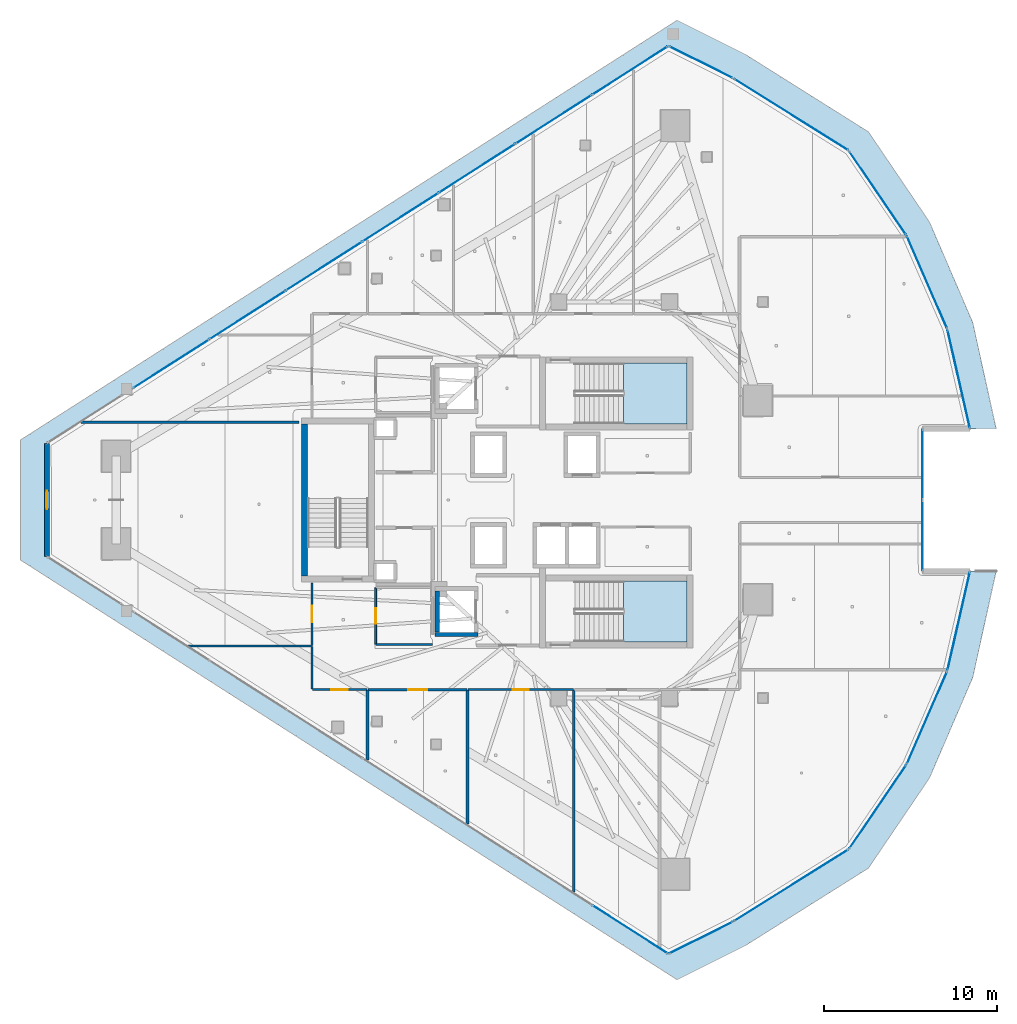
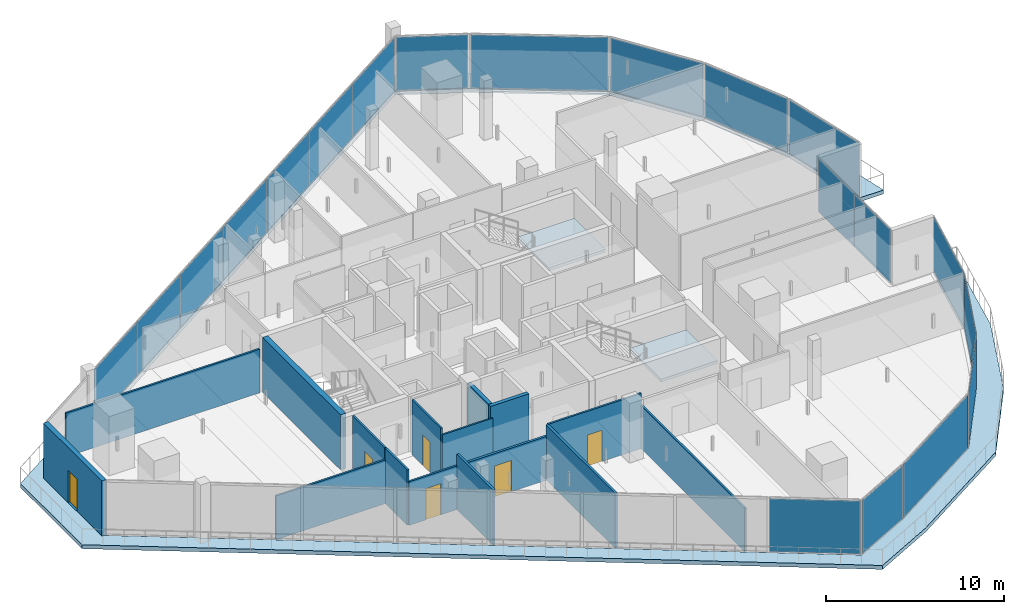
# One storey, part 22 of 33: 20 plates, 16 walls, 6 doors, 3 slabs, 6 openings, 15 elements without a shape of their own.
"""IFC4 building model written with IfcOpenShell, lengths in metres."""

from ifc_helpers import new_model, si_unit, direction, frame, frame_2d, origin, origin_2d, place, context, subcontext, project, spatial, polyline, rectangle, outline, extrude, material, layer, layer_set, type_object, element, fill, aggregate, save


model = new_model("IFC4")

# Units and contexts
model_context = context("Model", 3, precision=1e-05, world=origin(), true_north=direction((0.0, 1.0)))
body_context = subcontext(model_context, "Body", "Model", "MODEL_VIEW")
ifc_project = project(units=[si_unit("LENGTHUNIT", "METRE"), si_unit("AREAUNIT", "SQUARE_METRE"), si_unit("VOLUMEUNIT", "CUBIC_METRE"), si_unit("PLANEANGLEUNIT", "RADIAN"), si_unit("MASSUNIT", "GRAM", prefix="KILO")], contexts=[model_context])

# Site, building, storey
site_placement = place(None, origin())
site = spatial("IfcSite", under=ifc_project, at=site_placement, CompositionType="ELEMENT")
building_placement = place(site_placement, origin())
building = spatial("IfcBuilding", under=site, at=building_placement, Name="Qorvath Tower", CompositionType="ELEMENT")
storey_placement = place(building_placement, frame((0.0, 0.0, 237.449951171875)))
storey = spatial("IfcBuildingStorey", under=building, at=storey_placement, Name="L55", CompositionType="ELEMENT", Elevation=237.449951171875)

# Curtain wall, plate
ifc_material_1 = material(Name="Anodised aluminium and triple low-E glass", Category="aluminium")
ifc_layer_1 = layer(ifc_material_1, 0.179931640625)
ifc_layer_set_1 = layer_set([ifc_layer_1], Name="CW-SYS-3")
curtain_wall_type = type_object("IfcCurtainWallType", Name="CW-SYS-3", PredefinedType="NOTDEFINED", material=ifc_layer_set_1)
curtain_wall_1_placement = place(storey_placement, origin())
curtain_wall_1 = element("IfcCurtainWall", 1, at=curtain_wall_1_placement, inside=storey, type_object=curtain_wall_type, Name="Curtain Wall CW-3 CW-T-L55-2.2", PredefinedType="NOTDEFINED")
ifc_material_2 = material(Name="Low-E triple insulated glass", Category="glass")
ifc_layer_2 = layer(ifc_material_2, 0.031982421875)
ifc_layer_set_2 = layer_set([ifc_layer_2], Name="CWP-GLZ-32")
plate_type = type_object("IfcPlateType", Name="CWP-GLZ-32", PredefinedType="CURTAIN_PANEL", material=ifc_layer_set_2)
plate_1_placement = place(storey_placement, frame((-19.4814453125, -24.807373046875, 0.065185546875), z_axis=(0.0, 0.0, 1.0), x_axis=(0.842607285561, -0.53852851579, 0.0)))
plate_1 = element("IfcPlate", 2, at=plate_1_placement, type_object=plate_type, Name="CW-3 panel 7.1", PredefinedType="CURTAIN_PANEL", context=body_context, shape_type="SweptSolid", body=[
    extrude(rectangle(XDim=5.150146484375, YDim=0.031982421875, at=origin_2d()), origin(), (0.0, 0.0, 1.0), 3.64990234375),
])
aggregate(curtain_wall_1, [plate_1])

curtain_wall_2_placement = place(storey_placement, origin())
curtain_wall_2 = element("IfcCurtainWall", 3, at=curtain_wall_2_placement, inside=storey, type_object=curtain_wall_type, Name="Curtain Wall CW-3 CW-T-L55-3.1", PredefinedType="NOTDEFINED")
plate_2_placement = place(storey_placement, frame((-15.38330078125, -25.29248046875, 0.065185546875), z_axis=(0.0, 0.0, 1.0), x_axis=(0.894427191001, 0.447213595499, 0.0)))
plate_2 = element("IfcPlate", 4, at=plate_2_placement, type_object=plate_type, Name="CW-3 panel 1.1", PredefinedType="CURTAIN_PANEL", context=body_context, shape_type="SweptSolid", body=[
    extrude(rectangle(XDim=4.059326171875, YDim=0.031982421875, at=origin_2d()), origin(), (0.0, 0.0, 1.0), 3.64990234375),
])
aggregate(curtain_wall_2, [plate_2])

curtain_wall_3_placement = place(storey_placement, origin())
curtain_wall_3 = element("IfcCurtainWall", 5, at=curtain_wall_3_placement, inside=storey, type_object=curtain_wall_type, Name="Curtain Wall CW-3 CW-T-L55-4.1", PredefinedType="NOTDEFINED")
plate_3_placement = place(storey_placement, frame((-10.170654296875, -22.26611328125, 0.065185546875), z_axis=(0.0, 0.0, 1.0), x_axis=(0.847686533499, 0.530497446671, 0.0)))
plate_3 = element("IfcPlate", 6, at=plate_3_placement, type_object=plate_type, Name="CW-3 panel 1.1", PredefinedType="CURTAIN_PANEL", context=body_context, shape_type="SweptSolid", body=[
    extrude(rectangle(XDim=7.748291015625, YDim=0.031982421875, at=origin_2d()), origin(), (0.0, 0.0, 1.0), 3.64990234375),
])
aggregate(curtain_wall_3, [plate_3])

curtain_wall_4_placement = place(storey_placement, origin())
curtain_wall_4 = element("IfcCurtainWall", 7, at=curtain_wall_4_placement, inside=storey, type_object=curtain_wall_type, Name="Curtain Wall CW-3 CW-T-L55-5.1", PredefinedType="NOTDEFINED")
plate_4_placement = place(storey_placement, frame((-5.168212890625, -17.734619140625, 0.065185546875), z_axis=(0.0, 0.0, 1.0), x_axis=(0.562975482577, 0.826473596685, 0.0)))
plate_4 = element("IfcPlate", 8, at=plate_4_placement, type_object=plate_type, Name="CW-3 panel 1.1", PredefinedType="CURTAIN_PANEL", context=body_context, shape_type="SweptSolid", body=[
    extrude(rectangle(XDim=5.779052734375, YDim=0.031982421875, at=origin_2d()), origin(), (0.0, 0.0, 1.0), 3.64990234375),
])
aggregate(curtain_wall_4, [plate_4])

curtain_wall_5_placement = place(storey_placement, origin())
curtain_wall_5 = element("IfcCurtainWall", 9, at=curtain_wall_5_placement, inside=storey, type_object=curtain_wall_type, Name="Curtain Wall CW-3 CW-T-L55-6.1", PredefinedType="NOTDEFINED")
plate_5_placement = place(storey_placement, frame((-2.32470703125, -12.584228515625, 0.065185546875), z_axis=(0.0, 0.0, 1.0), x_axis=(0.39951066322, 0.916728547594, 0.0)))
plate_5 = element("IfcPlate", 10, at=plate_5_placement, type_object=plate_type, Name="CW-3 panel 1.1", PredefinedType="CURTAIN_PANEL", context=body_context, shape_type="SweptSolid", body=[
    extrude(rectangle(XDim=5.77880859375, YDim=0.031982421875, at=origin_2d()), origin(), (0.0, 0.0, 1.0), 3.64990234375),
])
aggregate(curtain_wall_5, [plate_5])

curtain_wall_6_placement = place(storey_placement, origin())
curtain_wall_6 = element("IfcCurtainWall", 11, at=curtain_wall_6_placement, inside=storey, type_object=curtain_wall_type, Name="Curtain Wall CW-3 CW-T-L55-7.1", PredefinedType="NOTDEFINED")
plate_6_placement = place(storey_placement, frame((-0.48828125, -6.995361328125, 0.065185546875), z_axis=(0.0, 0.0, 1.0), x_axis=(0.222041687, 0.975037173258, 0.0)))
plate_6 = element("IfcPlate", 12, at=plate_6_placement, type_object=plate_type, Name="CW-3 panel 1.1", PredefinedType="CURTAIN_PANEL", context=body_context, shape_type="SweptSolid", body=[
    extrude(rectangle(XDim=5.77880859375, YDim=0.031982421875, at=origin_2d()), origin(), (0.0, 0.0, 1.0), 3.64990234375),
])
aggregate(curtain_wall_6, [plate_6])

# Curtain wall, plates
curtain_wall_7_placement = place(storey_placement, origin())
curtain_wall_7 = element("IfcCurtainWall", 13, at=curtain_wall_7_placement, inside=storey, type_object=curtain_wall_type, Name="Curtain Wall CW-3 CW-T-L55-9.1", PredefinedType="NOTDEFINED")
plate_7_placement = place(storey_placement, frame((-2.575439453125, -2.041015625, 0.065185546875), z_axis=(0.0, 0.0, 1.0), x_axis=(0.0, 1.0, 0.0)))
plate_7 = element("IfcPlate", 14, at=plate_7_placement, type_object=plate_type, Name="CW-3 panel 1.1", PredefinedType="CURTAIN_PANEL", context=body_context, shape_type="SweptSolid", body=[
    extrude(rectangle(XDim=4.01708984375, YDim=0.031982421875, at=origin_2d()), origin(), (0.0, 0.0, 1.0), 3.64990234375),
])
plate_8_placement = place(storey_placement, frame((-2.575439453125, 2.041015625, 0.065185546875), z_axis=(0.0, 0.0, 1.0), x_axis=(0.0, 1.0, 0.0)))
plate_8 = element("IfcPlate", 15, at=plate_8_placement, type_object=plate_type, Name="CW-3 panel 2.1", PredefinedType="CURTAIN_PANEL", context=body_context, shape_type="SweptSolid", body=[
    extrude(rectangle(XDim=4.01708984375, YDim=0.031982421875, at=origin_2d()), origin(), (0.0, 0.0, 1.0), 3.64990234375),
])
aggregate(curtain_wall_7, [plate_7, plate_8])

# Curtain wall, plate
curtain_wall_8_placement = place(storey_placement, origin())
curtain_wall_8 = element("IfcCurtainWall", 16, at=curtain_wall_8_placement, inside=storey, type_object=curtain_wall_type, Name="Curtain Wall CW-3 CW-T-L55-11.1", PredefinedType="NOTDEFINED")
plate_9_placement = place(storey_placement, frame((-0.48828125, 6.995361328125, 0.065185546875), z_axis=(0.0, 0.0, 1.0), x_axis=(-0.222041687, 0.975037173258, 0.0)))
plate_9 = element("IfcPlate", 17, at=plate_9_placement, type_object=plate_type, Name="CW-3 panel 1.1", PredefinedType="CURTAIN_PANEL", context=body_context, shape_type="SweptSolid", body=[
    extrude(rectangle(XDim=5.77880859375, YDim=0.031982421875, at=origin_2d()), origin(), (0.0, 0.0, 1.0), 3.64990234375),
])
aggregate(curtain_wall_8, [plate_9])

curtain_wall_9_placement = place(storey_placement, origin())
curtain_wall_9 = element("IfcCurtainWall", 18, at=curtain_wall_9_placement, inside=storey, type_object=curtain_wall_type, Name="Curtain Wall CW-3 CW-T-L55-12.1", PredefinedType="NOTDEFINED")
plate_10_placement = place(storey_placement, frame((-2.32470703125, 12.584228515625, 0.065185546875), z_axis=(0.0, 0.0, 1.0), x_axis=(-0.39951066322, 0.916728547594, 0.0)))
plate_10 = element("IfcPlate", 19, at=plate_10_placement, type_object=plate_type, Name="CW-3 panel 1.1", PredefinedType="CURTAIN_PANEL", context=body_context, shape_type="SweptSolid", body=[
    extrude(rectangle(XDim=5.77880859375, YDim=0.031982421875, at=origin_2d()), origin(), (0.0, 0.0, 1.0), 3.64990234375),
])
aggregate(curtain_wall_9, [plate_10])

curtain_wall_10_placement = place(storey_placement, origin())
curtain_wall_10 = element("IfcCurtainWall", 20, at=curtain_wall_10_placement, inside=storey, type_object=curtain_wall_type, Name="Curtain Wall CW-3 CW-T-L55-13.1", PredefinedType="NOTDEFINED")
plate_11_placement = place(storey_placement, frame((-5.168212890625, 17.734619140625, 0.065185546875), z_axis=(0.0, 0.0, 1.0), x_axis=(-0.562975482577, 0.826473596685, 0.0)))
plate_11 = element("IfcPlate", 21, at=plate_11_placement, type_object=plate_type, Name="CW-3 panel 1.1", PredefinedType="CURTAIN_PANEL", context=body_context, shape_type="SweptSolid", body=[
    extrude(rectangle(XDim=5.779052734375, YDim=0.031982421875, at=origin_2d()), origin(), (0.0, 0.0, 1.0), 3.64990234375),
])
aggregate(curtain_wall_10, [plate_11])

curtain_wall_11_placement = place(storey_placement, origin())
curtain_wall_11 = element("IfcCurtainWall", 22, at=curtain_wall_11_placement, inside=storey, type_object=curtain_wall_type, Name="Curtain Wall CW-3 CW-T-L55-14.1", PredefinedType="NOTDEFINED")
plate_12_placement = place(storey_placement, frame((-10.170654296875, 22.26611328125, 0.065185546875), z_axis=(0.0, 0.0, 1.0), x_axis=(-0.847686533499, 0.530497446671, 0.0)))
plate_12 = element("IfcPlate", 23, at=plate_12_placement, type_object=plate_type, Name="CW-3 panel 1.1", PredefinedType="CURTAIN_PANEL", context=body_context, shape_type="SweptSolid", body=[
    extrude(rectangle(XDim=7.748291015625, YDim=0.031982421875, at=origin_2d()), origin(), (0.0, 0.0, 1.0), 3.64990234375),
])
aggregate(curtain_wall_11, [plate_12])

curtain_wall_12_placement = place(storey_placement, origin())
curtain_wall_12 = element("IfcCurtainWall", 24, at=curtain_wall_12_placement, inside=storey, type_object=curtain_wall_type, Name="Curtain Wall CW-3 CW-T-L55-15.1", PredefinedType="NOTDEFINED")
plate_13_placement = place(storey_placement, frame((-15.38330078125, 25.29248046875, 0.065185546875), z_axis=(0.0, 0.0, 1.0), x_axis=(-0.894427191001, 0.447213595499, 0.0)))
plate_13 = element("IfcPlate", 25, at=plate_13_placement, type_object=plate_type, Name="CW-3 panel 1.1", PredefinedType="CURTAIN_PANEL", context=body_context, shape_type="SweptSolid", body=[
    extrude(rectangle(XDim=4.059326171875, YDim=0.031982421875, at=origin_2d()), origin(), (0.0, 0.0, 1.0), 3.64990234375),
])
aggregate(curtain_wall_12, [plate_13])

# Curtain wall, plates
curtain_wall_13_placement = place(storey_placement, origin())
curtain_wall_13 = element("IfcCurtainWall", 26, at=curtain_wall_13_placement, inside=storey, type_object=curtain_wall_type, Name="Curtain Wall CW-3 CW-T-L55-16.1", PredefinedType="NOTDEFINED")
plate_14_placement = place(storey_placement, frame((-19.4814453125, 24.807373046875, 0.065185546875), z_axis=(0.0, 0.0, 1.0), x_axis=(-0.842607285561, -0.53852851579, 0.0)))
plate_14 = element("IfcPlate", 27, at=plate_14_placement, type_object=plate_type, Name="CW-3 panel 1.1", PredefinedType="CURTAIN_PANEL", context=body_context, shape_type="SweptSolid", body=[
    extrude(rectangle(XDim=5.150146484375, YDim=0.031982421875, at=origin_2d()), origin(), (0.0, 0.0, 1.0), 3.64990234375),
])
plate_15_placement = place(storey_placement, frame((-23.889404296875, 21.990234375, 0.065185546875), z_axis=(0.0, 0.0, 1.0), x_axis=(-0.842607285561, -0.53852851579, 0.0)))
plate_15 = element("IfcPlate", 28, at=plate_15_placement, type_object=plate_type, Name="CW-3 panel 2.1", PredefinedType="CURTAIN_PANEL", context=body_context, shape_type="SweptSolid", body=[
    extrude(rectangle(XDim=5.1826171875, YDim=0.031982421875, at=origin_2d()), origin(), (0.0, 0.0, 1.0), 3.64990234375),
])
plate_16_placement = place(storey_placement, frame((-28.31103515625, 19.164306640625, 0.065185546875), z_axis=(0.0, 0.0, 1.0), x_axis=(-0.842607285561, -0.53852851579, 0.0)))
plate_16 = element("IfcPlate", 29, at=plate_16_placement, type_object=plate_type, Name="CW-3 panel 3.1", PredefinedType="CURTAIN_PANEL", context=body_context, shape_type="SweptSolid", body=[
    extrude(rectangle(XDim=5.1826171875, YDim=0.031982421875, at=origin_2d()), origin(), (0.0, 0.0, 1.0), 3.64990234375),
])
plate_17_placement = place(storey_placement, frame((-32.732666015625, 16.338134765625, 0.065185546875), z_axis=(0.0, 0.0, 1.0), x_axis=(-0.842607285561, -0.53852851579, 0.0)))
plate_17 = element("IfcPlate", 30, at=plate_17_placement, type_object=plate_type, Name="CW-3 panel 4.1", PredefinedType="CURTAIN_PANEL", context=body_context, shape_type="SweptSolid", body=[
    extrude(rectangle(XDim=5.1826171875, YDim=0.031982421875, at=origin_2d()), origin(), (0.0, 0.0, 1.0), 3.64990234375),
])
plate_18_placement = place(storey_placement, frame((-37.154296875, 13.51220703125, 0.065185546875), z_axis=(0.0, 0.0, 1.0), x_axis=(-0.842607285561, -0.53852851579, 0.0)))
plate_18 = element("IfcPlate", 31, at=plate_18_placement, type_object=plate_type, Name="CW-3 panel 5.1", PredefinedType="CURTAIN_PANEL", context=body_context, shape_type="SweptSolid", body=[
    extrude(rectangle(XDim=5.1826171875, YDim=0.031982421875, at=origin_2d()), origin(), (0.0, 0.0, 1.0), 3.64990234375),
])
plate_19_placement = place(storey_placement, frame((-41.575927734375, 10.686279296875, 0.065185546875), z_axis=(0.0, 0.0, 1.0), x_axis=(-0.842607285561, -0.53852851579, 0.0)))
plate_19 = element("IfcPlate", 32, at=plate_19_placement, type_object=plate_type, Name="CW-3 panel 6.1", PredefinedType="CURTAIN_PANEL", context=body_context, shape_type="SweptSolid", body=[
    extrude(rectangle(XDim=5.1826171875, YDim=0.031982421875, at=origin_2d()), origin(), (0.0, 0.0, 1.0), 3.64990234375),
])
plate_20_placement = place(storey_placement, frame((-45.98388671875, 7.869140625, 0.065185546875), z_axis=(0.0, 0.0, 1.0), x_axis=(-0.842607285561, -0.53852851579, 0.0)))
plate_20 = element("IfcPlate", 33, at=plate_20_placement, type_object=plate_type, Name="CW-3 panel 7.1", PredefinedType="CURTAIN_PANEL", context=body_context, shape_type="SweptSolid", body=[
    extrude(rectangle(XDim=5.150146484375, YDim=0.031982421875, at=origin_2d()), origin(), (0.0, 0.0, 1.0), 3.64990234375),
])
aggregate(curtain_wall_13, [plate_14, plate_15, plate_16, plate_17, plate_18, plate_19, plate_20])

# Stair, slab
ifc_material_3 = material(Name="Concrete C50/60", Category="concrete")
stair_type = type_object("IfcStairType", Name="ST-H405", PredefinedType="HALF_TURN_STAIR", material=ifc_material_3)
stair_1_placement = place(storey_placement, origin())
stair_1 = element("IfcStair", 34, at=stair_1_placement, inside=storey, type_object=stair_type, Name="L55 Tower Exit Stair 1", PredefinedType="HALF_TURN_STAIR")
ifc_material_4 = material(Name="Concrete C50/60", Category="concrete")
ifc_layer_3 = layer(ifc_material_4, 0.199951171875)
ifc_layer_set_3 = layer_set([ifc_layer_3], Name="SL-LND-200")
slab_type_1 = type_object("IfcSlabType", Name="SL-LND-200", PredefinedType="LANDING", material=ifc_layer_set_3)
slab_1_placement = place(storey_placement, frame((0.0, 0.0, 1.824951171875)))
slab_1 = element("IfcSlab", 35, at=slab_1_placement, type_object=slab_type_1, Name="TS1 landing 1", PredefinedType="LANDING", context=body_context, shape_type="SweptSolid", body=[
    extrude(outline(polyline([(-19.8701171875, 4.39990234375), (-16.199951171875, 4.39990234375), (-16.199951171875, 7.909912109375), (-19.8701171875, 7.909912109375), (-19.8701171875, 4.39990234375)])), origin(), (0.0, 0.0, 1.0), 0.2001953125),
])
aggregate(stair_1, [slab_1])

stair_2_placement = place(storey_placement, origin())
stair_2 = element("IfcStair", 36, at=stair_2_placement, inside=storey, type_object=stair_type, Name="L55 Tower Exit Stair 2", PredefinedType="HALF_TURN_STAIR")
slab_2_placement = place(storey_placement, frame((0.0, 0.0, 1.824951171875)))
slab_2 = element("IfcSlab", 37, at=slab_2_placement, type_object=slab_type_1, Name="TS2 landing 1", PredefinedType="LANDING", context=body_context, shape_type="SweptSolid", body=[
    extrude(outline(polyline([(-19.8701171875, -8.199951171875), (-16.199951171875, -8.199951171875), (-16.199951171875, -4.68994140625), (-19.8701171875, -4.68994140625), (-19.8701171875, -8.199951171875)])), origin(), (0.0, 0.0, 1.0), 0.2001953125),
])
aggregate(stair_2, [slab_2])

# Slab
ifc_material_5 = material(Name="Precast concrete C45/55", Category="concrete")
ifc_layer_4 = layer(ifc_material_5, 0.27001953125)
ifc_layer_set_4 = layer_set([ifc_layer_4], Name="SL-LOG-270")
slab_type_2 = type_object("IfcSlabType", Name="SL-LOG-270", PredefinedType="FLOOR", material=ifc_layer_set_4)
slab_3_placement = place(storey_placement, frame((0.0, 0.0, -0.27001953125)))
element("IfcSlab", 38, at=slab_3_placement, inside=storey, type_object=slab_type_2, Name="Tower L55 Perimeter Loggia and Terrace Slab", PredefinedType="FLOOR", context=body_context, shape_type="SweptSolid", body=[
    extrude(outline(polyline([(0.167724609375, -4.11474609375), (-1.144287109375, -9.8759765625), (-3.5048828125, -15.292724609375), (-6.83154296875, -20.17626953125), (-13.509765625, -24.355712890625), (-17.2568359375, -26.229248046875), (-53.166015625, -3.27880859375), (-53.166015625, 3.27880859375), (-17.2568359375, 26.229248046875), (-13.509765625, 24.355712890625), (-6.83154296875, 20.17626953125), (-3.5048828125, 15.292724609375), (-1.144287109375, 9.8759765625), (0.167724609375, 4.11474609375), (1.676513671875, 4.11474609375), (0.314697265625, 10.26708984375), (-2.17724609375, 16.054443359375), (-5.7109375, 21.271240234375), (-12.803955078125, 25.732421875), (-16.7626953125, 27.711669921875), (-54.701416015625, 3.464111328125), (-54.701416015625, -3.464111328125), (-16.7626953125, -27.711669921875), (-12.803955078125, -25.732421875), (-5.7109375, -21.271240234375), (-2.17724609375, -16.054443359375), (0.314697265625, -10.26708984375), (1.676513671875, -4.11474609375), (0.167724609375, -4.11474609375)])), origin(), (0.0, 0.0, 1.0), 0.27001953125),
])

# Wall, opening, door
ifc_material_6 = material(Name="Double acoustic gypsum board on steel studs", Category="steel")
ifc_layer_5 = layer(ifc_material_6, 0.159912109375)
ifc_layer_set_5 = layer_set([ifc_layer_5], Name="IW-ACOUSTIC-160")
wall_type_1 = type_object("IfcWallType", Name="IW-ACOUSTIC-160", PredefinedType="PARTITIONING", material=ifc_layer_set_5)
wall_1_placement = place(storey_placement, frame((-28.8876953125, -10.9580078125, 0.0), z_axis=(0.0, 0.0, 1.0), x_axis=(-1.0, 0.0, 0.0)))
wall_1 = element("IfcWall", 39, at=wall_1_placement, inside=storey, type_object=wall_type_1, Name="Interior Partition IW-T1-L55-033", PredefinedType="PARTITIONING", context=body_context, shape_type="SweptSolid", body=[
    extrude(rectangle(XDim=5.7373046875, YDim=0.159912109375, at=frame_2d((2.86865234375, 0.0))), origin(), (0.0, 0.0, 1.0), 3.0),
])
opening_1_placement = place(wall_1_placement, frame((2.318603515625, 0.0, 0.0)))
opening_1 = element("IfcOpeningElement", 40, at=opening_1_placement, cuts=wall_1, Name="Opening D-T1-L55-11", PredefinedType="OPENING", context=body_context, shape_type="SweptSolid", body=[
    extrude(rectangle(XDim=1.10009765625, YDim=2.14990234375, at=frame_2d((0.550048828125, 1.074951171875))), frame((0.0, 0.08984375, 0.0), z_axis=(0.0, -1.0, 0.0), x_axis=(1.0, 0.0, 0.0)), (0.0, 0.0, 1.0), 0.179931640625),
])
ifc_material_7 = material(Name="Anodised aluminium acoustic framed glass", Category="aluminium")
door_type_1 = type_object("IfcDoorType", Name="D-03", OperationType="NOTDEFINED", PredefinedType="DOOR", material=ifc_material_7)
door_1_placement = place(opening_1_placement, origin())
door_1 = element("IfcDoor", 41, at=door_1_placement, inside=storey, type_object=door_type_1, Name="L55-05 Digital Visualization Suite Door D-T1-L55-11", OperationType="SINGLE_SWING_RIGHT", OverallHeight=2.14990234375, OverallWidth=1.10009765625, PredefinedType="DOOR", context=body_context, shape_type="SweptSolid", body=[
    extrude(rectangle(XDim=1.10009765625, YDim=2.14990234375, at=frame_2d((0.550048828125, 1.074951171875))), frame((0.0, 0.02490234375, 0.0), z_axis=(0.0, -1.0, 0.0), x_axis=(1.0, 0.0, 0.0)), (0.0, 0.0, 1.0), 0.050048828125),
])
fill(opening_1, door_1)

# Walls
wall_2_placement = place(storey_placement, frame((-34.64990234375, -10.98291015625, 0.0), z_axis=(0.0, 0.0, 1.0), x_axis=(0.0, -1.0, 0.0)))
element("IfcWall", 42, at=wall_2_placement, inside=storey, type_object=wall_type_1, Name="Interior Partition IW-T1-L55-034", PredefinedType="PARTITIONING", context=body_context, shape_type="SweptSolid", body=[
    extrude(rectangle(XDim=4.050048828125, YDim=0.159912109375, at=frame_2d((2.02490234375, 0.0))), origin(), (0.0, 0.0, 1.0), 3.780029296875),
])
wall_3_placement = place(storey_placement, frame((-28.86279296875, -18.731689453125, 0.0), z_axis=(0.0, 0.0, 1.0), x_axis=(0.0, 1.0, 0.0)))
element("IfcWall", 43, at=wall_3_placement, inside=storey, type_object=wall_type_1, Name="Interior Partition IW-T1-L55-035", PredefinedType="PARTITIONING", context=body_context, shape_type="SweptSolid", body=[
    extrude(rectangle(XDim=7.748779296875, YDim=0.159912109375, at=frame_2d((3.87451171875, 0.0))), origin(), (0.0, 0.0, 1.0), 3.780029296875),
])

# Wall, opening, door
ifc_material_8 = material(Name="Gypsum board on metal studs with mineral wool", Category="gypsum")
ifc_layer_6 = layer(ifc_material_8, 0.125)
ifc_layer_set_6 = layer_set([ifc_layer_6], Name="IW-PART-125")
wall_type_2 = type_object("IfcWallType", Name="IW-PART-125", PredefinedType="PARTITIONING", material=ifc_layer_set_6)
wall_4_placement = place(storey_placement, frame((-22.7578125, -10.9580078125, 0.0), z_axis=(0.0, 0.0, 1.0), x_axis=(-1.0, 0.0, 0.0)))
wall_4 = element("IfcWall", 44, at=wall_4_placement, inside=storey, type_object=wall_type_2, Name="Interior Partition IW-T1-L55-036", PredefinedType="PARTITIONING", context=body_context, shape_type="SweptSolid", body=[
    extrude(rectangle(XDim=6.07177734375, YDim=0.125, at=frame_2d((3.035888671875, 0.0))), origin(), (0.0, 0.0, 1.0), 3.780029296875),
])
opening_2_placement = place(wall_4_placement, frame((2.560791015625, 0.0, 0.0)))
opening_2 = element("IfcOpeningElement", 45, at=opening_2_placement, cuts=wall_4, Name="Opening D-T1-L55-12", PredefinedType="OPENING", context=body_context, shape_type="SweptSolid", body=[
    extrude(rectangle(XDim=0.949951171875, YDim=2.14990234375, at=frame_2d((0.47509765625, 1.074951171875))), frame((0.0, 0.072509765625, 0.0), z_axis=(0.0, -1.0, 0.0), x_axis=(1.0, 0.0, 0.0)), (0.0, 0.0, 1.0), 0.14501953125),
])
ifc_material_9 = material(Name="Solid-core American white oak veneer", Category="wood")
door_type_2 = type_object("IfcDoorType", Name="D-01", OperationType="NOTDEFINED", PredefinedType="DOOR", material=ifc_material_9)
door_2_placement = place(opening_2_placement, origin())
door_2 = element("IfcDoor", 46, at=door_2_placement, inside=storey, type_object=door_type_2, Name="L55-06 Quantitative Research Studio Door D-T1-L55-12", OperationType="SINGLE_SWING_LEFT", OverallHeight=2.14990234375, OverallWidth=0.949951171875, PredefinedType="DOOR", context=body_context, shape_type="SweptSolid", body=[
    extrude(rectangle(XDim=0.949951171875, YDim=2.14990234375, at=frame_2d((0.47509765625, 1.074951171875))), frame((0.0, 0.02490234375, 0.0), z_axis=(0.0, -1.0, 0.0), x_axis=(1.0, 0.0, 0.0)), (0.0, 0.0, 1.0), 0.050048828125),
])
fill(opening_2, door_2)

# Wall
wall_5_placement = place(storey_placement, frame((-22.73291015625, -22.6494140625, 0.0), z_axis=(0.0, 0.0, 1.0), x_axis=(0.0, 1.0, 0.0)))
element("IfcWall", 47, at=wall_5_placement, inside=storey, type_object=wall_type_2, Name="Interior Partition IW-T1-L55-037", PredefinedType="PARTITIONING", context=body_context, shape_type="SweptSolid", body=[
    extrude(rectangle(XDim=11.66650390625, YDim=0.125, at=frame_2d((5.833251953125, 0.0))), origin(), (0.0, 0.0, 1.0), 2.97705078125),
])

# Wall, opening, door
wall_6_placement = place(storey_placement, frame((-37.8330078125, -10.9580078125, 0.0), z_axis=(0.0, 0.0, 1.0), x_axis=(1.0, 0.0, 0.0)))
wall_6 = element("IfcWall", 48, at=wall_6_placement, inside=storey, type_object=wall_type_2, Name="Interior Partition IW-T1-L55-051", PredefinedType="PARTITIONING", context=body_context, shape_type="SweptSolid", body=[
    extrude(rectangle(XDim=3.14990234375, YDim=0.125, at=frame_2d((1.574951171875, 0.0))), origin(), (0.0, 0.0, 1.0), 3.0),
])
opening_3_placement = place(wall_6_placement, frame((1.099853515625, 0.0, 0.0)))
opening_3 = element("IfcOpeningElement", 49, at=opening_3_placement, cuts=wall_6, Name="Opening D-T1-L55-18", PredefinedType="OPENING", context=body_context, shape_type="SweptSolid", body=[
    extrude(rectangle(XDim=0.949951171875, YDim=2.14990234375, at=frame_2d((0.47509765625, 1.074951171875))), frame((0.0, 0.072509765625, 0.0), z_axis=(0.0, -1.0, 0.0), x_axis=(1.0, 0.0, 0.0)), (0.0, 0.0, 1.0), 0.14501953125),
])
door_3_placement = place(opening_3_placement, origin())
door_3 = element("IfcDoor", 50, at=door_3_placement, inside=storey, type_object=door_type_2, Name="L55-12 Staff Wellness Studio Door D-T1-L55-18", OperationType="SINGLE_SWING_LEFT", OverallHeight=2.14990234375, OverallWidth=0.949951171875, PredefinedType="DOOR", context=body_context, shape_type="SweptSolid", body=[
    extrude(rectangle(XDim=0.949951171875, YDim=2.14990234375, at=frame_2d((0.47509765625, 1.074951171875))), frame((0.0, 0.02490234375, 0.0), z_axis=(0.0, -1.0, 0.0), x_axis=(1.0, 0.0, 0.0)), (0.0, 0.0, 1.0), 0.050048828125),
])
fill(opening_3, door_3)

# Walls
wall_7_placement = place(storey_placement, frame((-37.85791015625, -10.93310546875, 0.0), z_axis=(0.0, 0.0, 1.0), x_axis=(0.0, 1.0, 0.0)))
element("IfcWall", 51, at=wall_7_placement, inside=storey, type_object=wall_type_2, Name="Interior Partition IW-T1-L55-052", PredefinedType="PARTITIONING", context=body_context, shape_type="SweptSolid", body=[
    extrude(rectangle(XDim=2.472900390625, YDim=0.125, at=frame_2d((1.236328125, 0.0))), origin(), (0.0, 0.0, 1.0), 3.780029296875),
])
wall_8_placement = place(storey_placement, frame((-37.8828125, -8.43505859375, 0.0), z_axis=(0.0, 0.0, 1.0), x_axis=(-1.0, 0.0, 0.0)))
element("IfcWall", 52, at=wall_8_placement, inside=storey, type_object=wall_type_2, Name="Interior Partition IW-T1-L55-053", PredefinedType="PARTITIONING", context=body_context, shape_type="SweptSolid", body=[
    extrude(rectangle(XDim=7.135498046875, YDim=0.125, at=frame_2d((3.56787109375, 0.0))), origin(), (0.0, 0.0, 1.0), 3.0),
])

# Wall, opening, door
wall_9_placement = place(storey_placement, frame((-37.85791015625, -8.402099609375, 0.0), z_axis=(0.0, 0.0, 1.0), x_axis=(0.0, 1.0, 0.0)))
wall_9 = element("IfcWall", 53, at=wall_9_placement, inside=storey, type_object=wall_type_2, Name="Interior Partition IW-T1-L55-054", PredefinedType="PARTITIONING", context=body_context, shape_type="SweptSolid", body=[
    extrude(rectangle(XDim=3.618896484375, YDim=0.125, at=frame_2d((1.8095703125, 0.0))), origin(), (0.0, 0.0, 1.0), 3.780029296875),
])
opening_4_placement = place(wall_9_placement, frame((1.33447265625, 0.0, 0.0)))
opening_4 = element("IfcOpeningElement", 54, at=opening_4_placement, cuts=wall_9, Name="Opening D-T1-L55-19", PredefinedType="OPENING", context=body_context, shape_type="SweptSolid", body=[
    extrude(rectangle(XDim=0.949951171875, YDim=2.14990234375, at=frame_2d((0.47509765625, 1.074951171875))), frame((0.0, 0.072509765625, 0.0), z_axis=(0.0, -1.0, 0.0), x_axis=(1.0, 0.0, 0.0)), (0.0, 0.0, 1.0), 0.14501953125),
])
door_4_placement = place(opening_4_placement, origin())
door_4 = element("IfcDoor", 55, at=door_4_placement, inside=storey, type_object=door_type_2, Name="L55-13 Design Pin-Up Atelier Door D-T1-L55-19", OperationType="SINGLE_SWING_RIGHT", OverallHeight=2.14990234375, OverallWidth=0.949951171875, PredefinedType="DOOR", context=body_context, shape_type="SweptSolid", body=[
    extrude(rectangle(XDim=0.949951171875, YDim=2.14990234375, at=frame_2d((0.47509765625, 1.074951171875))), frame((0.0, 0.02490234375, 0.0), z_axis=(0.0, -1.0, 0.0), x_axis=(1.0, 0.0, 0.0)), (0.0, 0.0, 1.0), 0.050048828125),
])
fill(opening_4, door_4)

# Walls
wall_10_placement = place(storey_placement, frame((-38.595703125, 4.489501953125, 0.0), z_axis=(0.0, 0.0, 1.0), x_axis=(-0.999999993235, 0.000116317391, 0.0)))
element("IfcWall", 56, at=wall_10_placement, inside=storey, type_object=wall_type_2, Name="Interior Partition IW-T1-L55-055", PredefinedType="PARTITIONING", context=body_context, shape_type="SweptSolid", body=[
    extrude(rectangle(XDim=12.593505859375, YDim=0.125, at=frame_2d((6.296875, 0.0))), origin(), (0.0, 0.0, 1.0), 3.0),
])
ifc_material_10 = material(Name="Moisture-resistant cement board on metal studs", Category="gypsum")
ifc_layer_7 = layer(ifc_material_10, 0.110107421875)
ifc_layer_set_7 = layer_set([ifc_layer_7], Name="IW-WC-110")
wall_type_3 = type_object("IfcWallType", Name="IW-WC-110", PredefinedType="PARTITIONING", material=ifc_layer_set_7)
wall_11_placement = place(storey_placement, frame((-34.15478515625, -8.35009765625, 0.0), z_axis=(0.0, 0.0, 1.0), x_axis=(1.0, 0.0, 0.0)))
element("IfcWall", 57, at=wall_11_placement, inside=storey, type_object=wall_type_3, Name="Interior Partition IW-T1-L55-009", PredefinedType="PARTITIONING", context=body_context, shape_type="SweptSolid", body=[
    extrude(rectangle(XDim=3.25, YDim=0.110107421875, at=frame_2d((1.625, 0.0))), origin(), (0.0, 0.0, 1.0), 3.34423828125),
])

# Wall, opening, door
wall_12_placement = place(storey_placement, frame((-34.179931640625, -5.074951171875, 0.0), z_axis=(0.0, 0.0, 1.0), x_axis=(0.0, -1.0, 0.0)))
wall_12 = element("IfcWall", 58, at=wall_12_placement, inside=storey, type_object=wall_type_3, Name="Interior Partition IW-T1-L55-012", PredefinedType="PARTITIONING", context=body_context, shape_type="SweptSolid", body=[
    extrude(rectangle(XDim=3.250244140625, YDim=0.110107421875, at=frame_2d((1.625, 0.0))), origin(), (0.0, 0.0, 1.0), 3.780029296875),
])
opening_5_placement = place(wall_12_placement, frame((1.18505859375, 0.0, 0.0)))
opening_5 = element("IfcOpeningElement", 59, at=opening_5_placement, cuts=wall_12, Name="Opening D-T1-L55-02", PredefinedType="OPENING", context=body_context, shape_type="SweptSolid", body=[
    extrude(rectangle(XDim=0.8798828125, YDim=2.10009765625, at=frame_2d((0.43994140625, 1.050048828125))), frame((0.0, 0.06494140625, 0.0), z_axis=(0.0, -1.0, 0.0), x_axis=(1.0, 0.0, 0.0)), (0.0, 0.0, 1.0), 0.130126953125),
])
ifc_material_11 = material(Name="Solid-core oak with acoustic drop seal", Category="wood")
door_type_3 = type_object("IfcDoorType", Name="D-02", OperationType="NOTDEFINED", PredefinedType="DOOR", material=ifc_material_11)
door_5_placement = place(opening_5_placement, origin())
door_5 = element("IfcDoor", 60, at=door_5_placement, inside=storey, type_object=door_type_3, Name="Accessible WC South L55 Door D-T1-L55-02", OperationType="SINGLE_SWING_LEFT", OverallHeight=2.10009765625, OverallWidth=0.8798828125, PredefinedType="DOOR", context=body_context, shape_type="SweptSolid", body=[
    extrude(rectangle(XDim=0.8798828125, YDim=2.10009765625, at=frame_2d((0.43994140625, 1.050048828125))), frame((0.0, 0.02490234375, 0.0), z_axis=(0.0, -1.0, 0.0), x_axis=(1.0, 0.0, 0.0)), (0.0, 0.0, 1.0), 0.050048828125),
])
fill(opening_5, door_5)

# Walls
ifc_material_12 = material(Name="Concrete C60/75", Category="concrete")
ifc_layer_8 = layer(ifc_material_12, 0.260009765625)
ifc_layer_set_8 = layer_set([ifc_layer_8], Name="SW-SHAFT")
wall_type_4 = type_object("IfcWallType", Name="SW-SHAFT", PredefinedType="SHEAR", material=ifc_layer_set_8)
wall_13_placement = place(storey_placement, frame((-28.260009765625, -7.77001953125, 0.0), z_axis=(0.0, 0.0, 1.0), x_axis=(-1.0, 0.0, 0.0)))
element("IfcWall", 61, at=wall_13_placement, inside=storey, type_object=wall_type_4, Name="Hoistway Wall FSAE-2 L55 S", PredefinedType="SHEAR", context=body_context, shape_type="SweptSolid", body=[
    extrude(rectangle(XDim=2.47998046875, YDim=0.239990234375, at=frame_2d((1.239990234375, 0.0))), origin(), (0.0, 0.0, 1.0), 3.780029296875),
])
wall_14_placement = place(storey_placement, frame((-30.6201171875, -7.637939453125, 0.0), z_axis=(0.0, 0.0, 1.0), x_axis=(0.0, 1.0, 0.0)))
element("IfcWall", 62, at=wall_14_placement, inside=storey, type_object=wall_type_4, Name="Hoistway Wall FSAE-2 L55 W", PredefinedType="SHEAR", context=body_context, shape_type="SweptSolid", body=[
    extrude(rectangle(XDim=2.3759765625, YDim=0.239990234375, at=frame_2d((1.18798828125, 0.0))), origin(), (0.0, 0.0, 1.0), 3.780029296875),
])
ifc_material_13 = material(Name="Concrete C60/75", Category="concrete")
ifc_layer_9 = layer(ifc_material_13, 0.35009765625)
ifc_layer_set_9 = layer_set([ifc_layer_9], Name="SW-STAIR")
wall_type_5 = type_object("IfcWallType", Name="SW-STAIR", PredefinedType="SHEAR", material=ifc_layer_set_9)
wall_15_placement = place(storey_placement, frame((-38.284912109375, 4.385009765625, 0.0), z_axis=(0.0, 0.0, 1.0), x_axis=(0.0, -1.0, 0.0)))
element("IfcWall", 63, at=wall_15_placement, inside=storey, type_object=wall_type_5, Name="Stair TS3 Shear Wall L55 RIGHT", PredefinedType="SHEAR", context=body_context, shape_type="SweptSolid", body=[
    extrude(rectangle(XDim=8.77001953125, YDim=0.35009765625, at=frame_2d((4.385009765625, 0.0))), origin(), (0.0, 0.0, 1.0), 3.780029296875),
])

# Wall, opening, door
ifc_material_14 = material(Name="Precast concrete C45/55", Category="concrete")
ifc_layer_10 = layer(ifc_material_14, 0.300048828125)
ifc_layer_set_10 = layer_set([ifc_layer_10], Name="WL-EW-LOG-300")
wall_type_6 = type_object("IfcWallType", Name="WL-EW-LOG-300", PredefinedType="SOLIDWALL", material=ifc_layer_set_10)
wall_16_placement = place(storey_placement, frame((-53.166015625, -3.27880859375, 0.0), z_axis=(0.0, 0.0, 1.0), x_axis=(0.0, 1.0, 0.0)))
wall_16 = element("IfcWall", 64, at=wall_16_placement, inside=storey, type_object=wall_type_6, Name="Tower Precast Loggia Wall L55-1.1", PredefinedType="SOLIDWALL", context=body_context, shape_type="SweptSolid", body=[
    extrude(rectangle(XDim=6.5576171875, YDim=0.300048828125, at=frame_2d((3.27880859375, 0.0))), origin(), (0.0, 0.0, 1.0), 3.780029296875),
])
opening_6_placement = place(wall_16_placement, frame((2.75390625, 0.0, 0.0)))
opening_6 = element("IfcOpeningElement", 65, at=opening_6_placement, cuts=wall_16, Name="Opening ED-L55-01", PredefinedType="OPENING", context=body_context, shape_type="SweptSolid", body=[
    extrude(rectangle(XDim=1.050048828125, YDim=2.199951171875, at=frame_2d((0.52490234375, 1.10009765625))), frame((0.0, 0.16015625, 0.0), z_axis=(0.0, -1.0, 0.0), x_axis=(1.0, 0.0, 0.0)), (0.0, 0.0, 1.0), 0.320068359375),
])
ifc_material_15 = material(Name="Thermally broken aluminium glazed door", Category="aluminium")
door_type_4 = type_object("IfcDoorType", Name="ED-LOG", OperationType="NOTDEFINED", PredefinedType="DOOR", material=ifc_material_15)
door_6_placement = place(opening_6_placement, origin())
door_6 = element("IfcDoor", 66, at=door_6_placement, inside=storey, type_object=door_type_4, Name="L55 Recessed Loggia Access Door 1", OperationType="SINGLE_SWING_RIGHT", OverallHeight=2.199951171875, OverallWidth=1.050048828125, PredefinedType="DOOR", context=body_context, shape_type="SweptSolid", body=[
    extrude(rectangle(XDim=1.050048828125, YDim=2.199951171875, at=frame_2d((0.52490234375, 1.10009765625))), frame((0.0, 0.02490234375, 0.0), z_axis=(0.0, -1.0, 0.0), x_axis=(1.0, 0.0, 0.0)), (0.0, 0.0, 1.0), 0.050048828125),
])
fill(opening_6, door_6)

save(model, "model.ifc")
